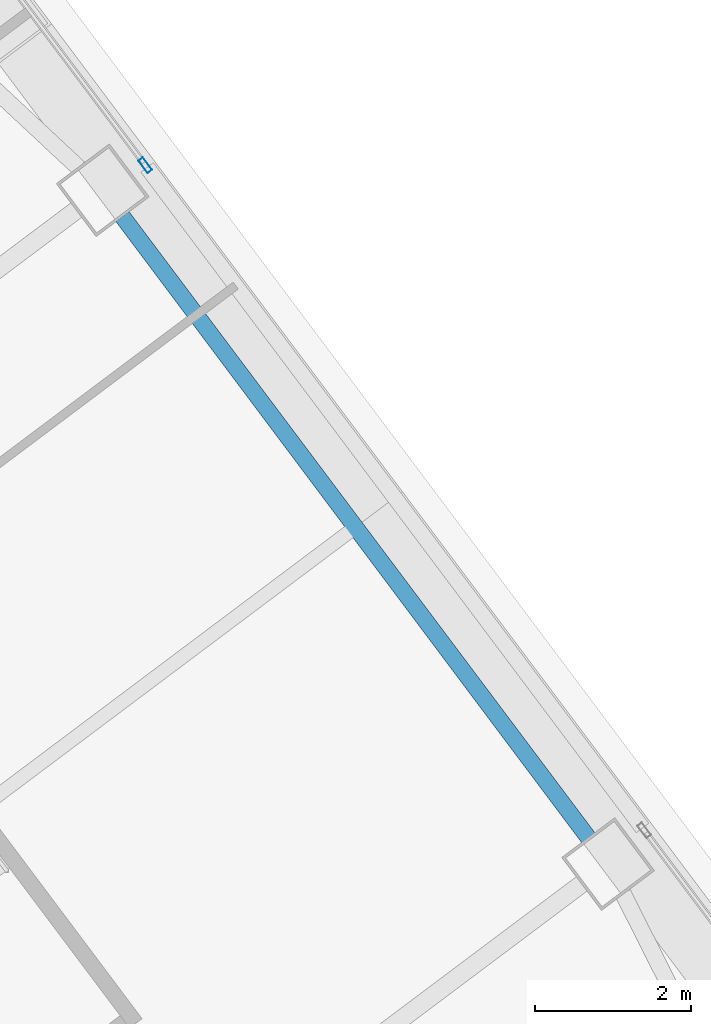
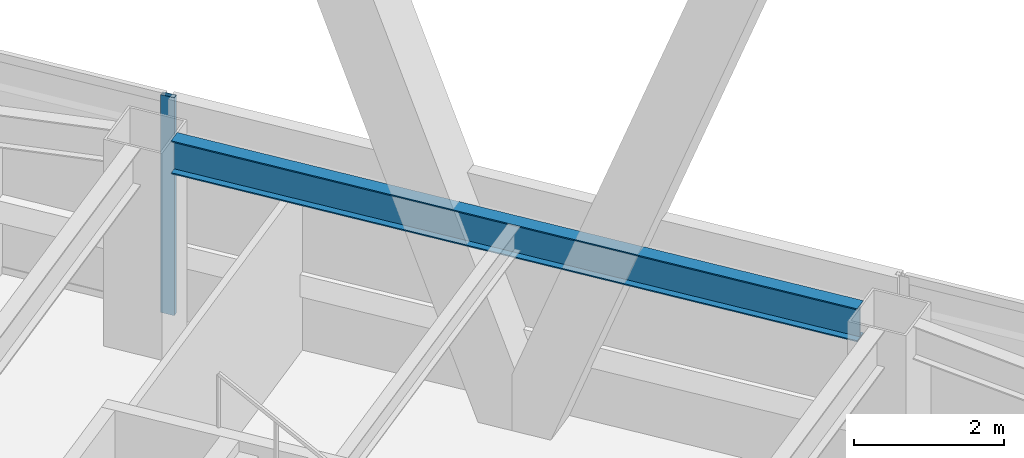
# One storey, part 37 of 50: 1 beam, 1 member, 1 element without a shape of its own.
"""IFC4 building model written with IfcOpenShell, lengths in metres."""

import ifcopenshell
import ifcopenshell.guid

model = None  # the IFC model being written
_history = None  # IfcOwnerHistory: only IFC2X3 demands one
_inside = {}  # id of a spatial element -> (the spatial element, [elements in it])
_under = {}  # id of a project, library or spatial element -> (it, [spatial elements below it])
_declared = {}  # id of a project -> (the project, [libraries it declares])
_typed = {}  # id of a type object -> (the type object, [elements of that type])
_made_of = {}  # id of a material, layer set ... -> (it, [elements and type objects made of it])


def new_model(schema):
    """Start an empty IFC model of exactly this schema.

    Asked for "IFC4X3", IfcOpenShell would pick the latest addendum, in which some entities
    have other attributes; the version numbers below select the first issue.
    IFC2X3 requires an IfcOwnerHistory on every rooted entity: one is made here for all.
    """
    global model, _history
    if schema == "IFC4X3":
        model = ifcopenshell.file(schema_version=(4, 3, 0, 0))
    else:
        model = ifcopenshell.file(schema=schema)
    _inside.clear()
    _under.clear()
    _declared.clear()
    _typed.clear()
    _made_of.clear()
    _history = None
    if model.schema == "IFC2X3":
        org = make("IfcOrganization", Name="unknown")
        user = make(
            "IfcPersonAndOrganization",
            ThePerson=make("IfcPerson", FamilyName="unknown"),
            TheOrganization=org,
        )
        app = make(
            "IfcApplication",
            ApplicationDeveloper=org,
            Version="unknown",
            ApplicationFullName="unknown",
            ApplicationIdentifier="unknown",
        )
        _history = make(
            "IfcOwnerHistory",
            OwningUser=user,
            OwningApplication=app,
            ChangeAction="ADDED",
            CreationDate=0,
        )
    return model


def make(cls, **values):
    """One entity of the class cls with the attributes given. An attribute that is None is left unset."""
    return model.create_entity(
        cls, **{name: value for name, value in values.items() if value is not None}
    )


def rooted(cls, **values):
    """An entity with a GlobalId (a new one), such as an element, a storey or a relation."""
    return make(cls, GlobalId=ifcopenshell.guid.new(), OwnerHistory=_history, **values)


def si_unit(unit_type, name, prefix=None):
    """IfcSIUnit, for example si_unit("LENGTHUNIT", "METRE", prefix="MILLI")."""
    return make("IfcSIUnit", UnitType=unit_type, Prefix=prefix, Name=name)


def assignment(units):
    """IfcUnitAssignment: the units of a project."""
    return None if units is None else make("IfcUnitAssignment", Units=units)


def point(xyz):
    """IfcCartesianPoint."""
    return None if xyz is None else make("IfcCartesianPoint", Coordinates=xyz)


def direction(xyz):
    """IfcDirection."""
    return None if xyz is None else make("IfcDirection", DirectionRatios=xyz)


def frame(location, z_axis=None, x_axis=None):
    """IfcAxis2Placement3D, a coordinate frame: its origin and axes. An axis left out is left unset."""
    return make(
        "IfcAxis2Placement3D",
        Location=point(location),
        Axis=direction(z_axis),
        RefDirection=direction(x_axis),
    )


def frame_2d(location, x_axis=None):
    """IfcAxis2Placement2D, a coordinate frame in the plane: its origin and x axis."""
    return make(
        "IfcAxis2Placement2D", Location=point(location), RefDirection=direction(x_axis)
    )


def origin():
    """The frame at (0, 0, 0) with its axes left unset."""
    return frame((0.0, 0.0, 0.0))


def origin_2d():
    """The frame at (0, 0) in the plane with its x axis left unset."""
    return frame_2d((0.0, 0.0))


def place(relative_to, where):
    """IfcLocalPlacement: puts the frame where relative to a parent placement (None: the world)."""
    return make(
        "IfcLocalPlacement", PlacementRelTo=relative_to, RelativePlacement=where
    )


def context(
    kind, dimensions, precision=None, world=None, true_north=None, identifier=None
):
    """IfcGeometricRepresentationContext, for example the 3D "Model" context."""
    return make(
        "IfcGeometricRepresentationContext",
        ContextIdentifier=identifier,
        ContextType=kind,
        CoordinateSpaceDimension=dimensions,
        Precision=precision,
        WorldCoordinateSystem=world,
        TrueNorth=true_north,
    )


def subcontext(parent, identifier, kind, view, scale=None):
    """IfcGeometricRepresentationSubContext, for example "Body" below "Model"."""
    return make(
        "IfcGeometricRepresentationSubContext",
        ContextIdentifier=identifier,
        ContextType=kind,
        ParentContext=parent,
        TargetScale=scale,
        TargetView=view,
    )


def project(units=None, contexts=None):
    """IfcProject with its units and contexts."""
    return rooted(
        "IfcProject",
        Name="project",
        RepresentationContexts=contexts,
        UnitsInContext=assignment(units),
    )


def spatial(cls, under=None, at=None, **own):
    """A site, building, storey or space (cls), placed at a placement, below another one or the project."""
    s = rooted(cls, ObjectPlacement=at, **own)
    if under is not None:
        _under.setdefault(under.id(), (under, []))[1].append(s)
    return s


def profile(cls, at=None, kind="AREA", **sizes):
    """A parametric profile (cls). Its sizes go by their IFC names, for example OverallWidth=200.0."""
    return make(cls, ProfileType=kind, Position=at, **sizes)


def hollow_rectangle(**sizes):
    """IfcRectangleHollowProfileDef."""
    return profile("IfcRectangleHollowProfileDef", **sizes)


def i_section(**sizes):
    """IfcIShapeProfileDef."""
    return profile("IfcIShapeProfileDef", **sizes)


def extrude(swept, where, along, depth):
    """IfcExtrudedAreaSolid: the profile swept, set in the frame where, extruded along a direction by depth."""
    return make(
        "IfcExtrudedAreaSolid",
        SweptArea=swept,
        Position=where,
        ExtrudedDirection=direction(along),
        Depth=depth,
    )


def shape(context_of_items, identifier, shape_type, items):
    """IfcShapeRepresentation: the items that make up one representation, for example the "Body"."""
    return make(
        "IfcShapeRepresentation",
        ContextOfItems=context_of_items,
        RepresentationIdentifier=identifier,
        RepresentationType=shape_type,
        Items=items,
    )


def material(Name=None, Category=None):
    """IfcMaterial."""
    return make("IfcMaterial", Name=Name, Category=Category)


def material_profile(
    of_material, cross_section, Name=None, Category=None, Priority=None
):
    """IfcMaterialProfile: a cross section and its material."""
    return make(
        "IfcMaterialProfile",
        Name=Name,
        Material=of_material,
        Profile=cross_section,
        Priority=Priority,
        Category=Category,
    )


def profile_set(profiles, Name=None, composite=None):
    """IfcMaterialProfileSet."""
    return make(
        "IfcMaterialProfileSet",
        Name=Name,
        MaterialProfiles=profiles,
        CompositeProfile=composite,
    )


def made_of(thing, what):
    """Note that an element or type object is made of a material, layer set ...; save() writes the relation."""
    if what is not None:
        _made_of.setdefault(what.id(), (what, []))[1].append(thing)
    return thing


def type_object(cls, material=None, **own):
    """A type object (cls), such as IfcWallType, which elements share."""
    return made_of(rooted(cls, **own), material)


def element(
    cls,
    number,
    at=None,
    inside=None,
    cuts=None,
    type_object=None,
    material=None,
    context=None,
    identifier="Body",
    shape_type=None,
    held_by="IfcProductDefinitionShape",
    body=None,
    shapes=None,
    **own,
):
    """One element of the class cls, such as IfcWall. Its Tag is "e" and its number.

    at: its placement. inside: the storey or other place that contains it. cuts: it is an
    opening in that element (IfcRelVoidsElement). A single representation is given by context,
    identifier, shape_type and body (its items); several are given by shapes. held_by: the class
    of the entity that holds the representations. save() writes the other relations.
    """
    e = rooted(cls, Tag="e%d" % number, ObjectPlacement=at, **own)
    if body is not None:
        shapes = [shape(context, identifier, shape_type, body)]
    if shapes is not None:
        e.Representation = make(held_by, Representations=shapes)
    if inside is not None:
        _inside.setdefault(inside.id(), (inside, []))[1].append(e)
    if cuts is not None:
        rooted(
            "IfcRelVoidsElement", RelatingBuildingElement=cuts, RelatedOpeningElement=e
        )
    if type_object is not None:
        _typed.setdefault(type_object.id(), (type_object, []))[1].append(e)
    return made_of(e, material)


def aggregate(whole, parts):
    """IfcRelAggregates: a whole, such as a stair, and the parts it consists of."""
    return rooted("IfcRelAggregates", RelatingObject=whole, RelatedObjects=parts)


def save(model, path):
    """Write the relations noted so far, then the file.

    IfcRelAggregates (storeys below a building ...), IfcRelContainedInSpatialStructure (elements
    in a storey), IfcRelDefinesByType, IfcRelAssociatesMaterial and IfcRelDeclares: one each for
    every whole, place, type object, material and project.
    """
    for whole, parts in _under.values():
        aggregate(whole, parts)
    for where, things in _inside.values():
        rooted(
            "IfcRelContainedInSpatialStructure",
            RelatedElements=things,
            RelatingStructure=where,
        )
    for kind, things in _typed.values():
        rooted("IfcRelDefinesByType", RelatedObjects=things, RelatingType=kind)
    for what, things in _made_of.values():
        rooted("IfcRelAssociatesMaterial", RelatedObjects=things, RelatingMaterial=what)
    for by, libraries in _declared.values():
        rooted("IfcRelDeclares", RelatingContext=by, RelatedDefinitions=libraries)
    model.write(path)


model = new_model("IFC4")

# Units and contexts
model_context = context("Model", 3, precision=1e-05, world=origin(), true_north=direction((0.0, 1.0)))
body_context = subcontext(model_context, "Body", "Model", "MODEL_VIEW")
ifc_project = project(units=[si_unit("LENGTHUNIT", "METRE"), si_unit("AREAUNIT", "SQUARE_METRE"), si_unit("VOLUMEUNIT", "CUBIC_METRE"), si_unit("PLANEANGLEUNIT", "RADIAN"), si_unit("MASSUNIT", "GRAM", prefix="KILO")], contexts=[model_context])

# Site, building, storey
site_placement = place(None, origin())
site = spatial("IfcSite", under=ifc_project, at=site_placement, CompositionType="ELEMENT")
building_placement = place(site_placement, origin())
building = spatial("IfcBuilding", under=site, at=building_placement, Name="Tashvorn Skyway Center", CompositionType="ELEMENT")
storey_placement = place(building_placement, frame((0.0, 0.0, 114.39990234375)))
storey = spatial("IfcBuildingStorey", under=building, at=storey_placement, Name="L30", CompositionType="ELEMENT", Elevation=114.39990234375)

# Beam
ifc_material_1 = material(Name="Steel ASTM A992 Grade 50", Category="steel")
ifc_material_profile_1 = material_profile(ifc_material_1, i_section(OverallWidth=0.2109375, OverallDepth=0.5390625, WebThickness=0.01171875, FlangeThickness=0.018798828125, at=origin_2d()), Name="W21X73")
ifc_profile_set_1 = profile_set([ifc_material_profile_1], Name="Steel ASTM A992 Grade 50")
beam_type = type_object("IfcBeamType", Name="BM-SPANDREL-W21X73", PredefinedType="SPANDREL", material=ifc_profile_set_1)
beam_placement = place(storey_placement, frame((131.10791015625, 38.60595703125, 3.1005859375), z_axis=(-0.599988234018, 0.800008824351, 0.0), x_axis=(-0.800008824351, -0.599988234018, 0.0)))
element("IfcBeam", 1, at=beam_placement, inside=storey, type_object=beam_type, Name="Tower 2 L30 Spandrel Beam 05", PredefinedType="SPANDREL", context=body_context, shape_type="SweptSolid", body=[
    extrude(i_section(OverallWidth=0.2109375, OverallDepth=0.5390625, WebThickness=0.01171875, FlangeThickness=0.018798828125, at=origin_2d()), origin(), (0.0, 0.0, 1.0), 9.9599609375),
])

# Curtain wall, member
ifc_material_2 = material(Name="Thermally broken bronze-anodized aluminium 6063-T6", Category="aluminium")
curtain_wall_type = type_object("IfcCurtainWallType", Name="CW-CW-Z3", PredefinedType="NOTDEFINED", material=ifc_material_2)
curtain_wall_placement = place(storey_placement, origin())
curtain_wall = element("IfcCurtainWall", 2, at=curtain_wall_placement, inside=storey, type_object=curtain_wall_type, Name="Tower 2 L30 East Unitised Curtain Wall Glazing Group 1", PredefinedType="NOTDEFINED")
ifc_material_profile_2 = material_profile(ifc_material_2, hollow_rectangle(XDim=0.074951171875, YDim=0.199951171875, WallThickness=0.00439453125, at=origin_2d()), Name="ALU-MULL-75x200")
ifc_profile_set_2 = profile_set([ifc_material_profile_2], Name="Thermally broken bronze-anodized aluminium 6063-T6")
member_type = type_object("IfcMemberType", Name="CWM-CW-Z3", PredefinedType="MULLION", material=ifc_profile_set_2)
member_placement = place(storey_placement, frame((125.425537109375, 47.232666015625, 0.0), z_axis=(0.0, 0.0, 1.0), x_axis=(0.799998866489, 0.600001511345, 0.0)))
member = element("IfcMember", 3, at=member_placement, type_object=member_type, Name="CW-Z3 mullion 2", PredefinedType="MULLION", context=body_context, shape_type="SweptSolid", body=[
    extrude(hollow_rectangle(XDim=0.074951171875, YDim=0.199951171875, WallThickness=0.00439453125, at=origin_2d()), origin(), (0.0, 0.0, 1.0), 3.550048828125),
])
aggregate(curtain_wall, [member])

save(model, "model.ifc")
